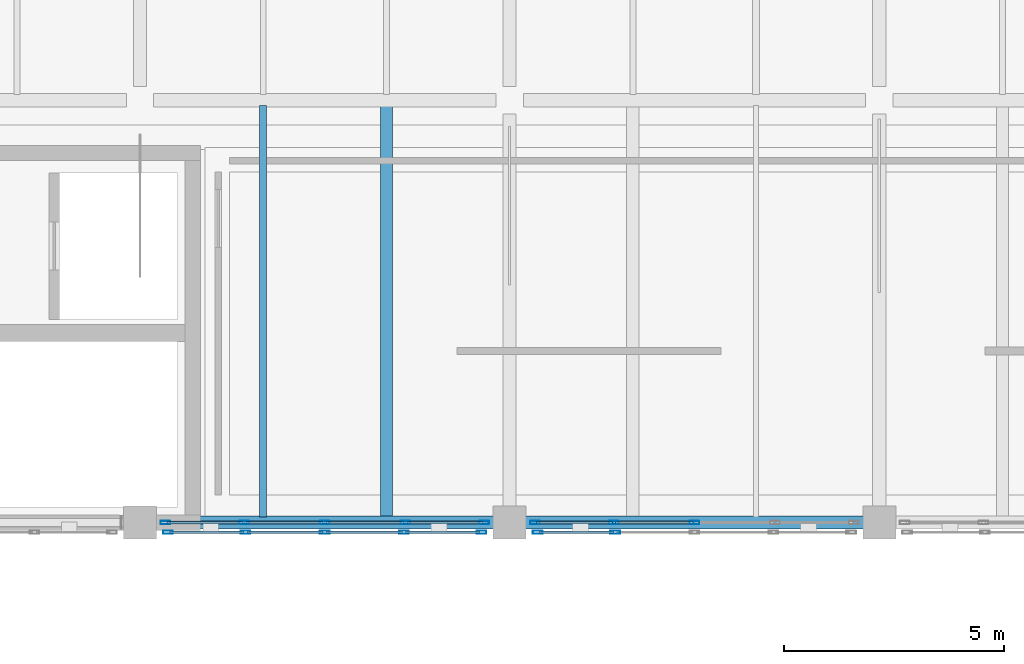
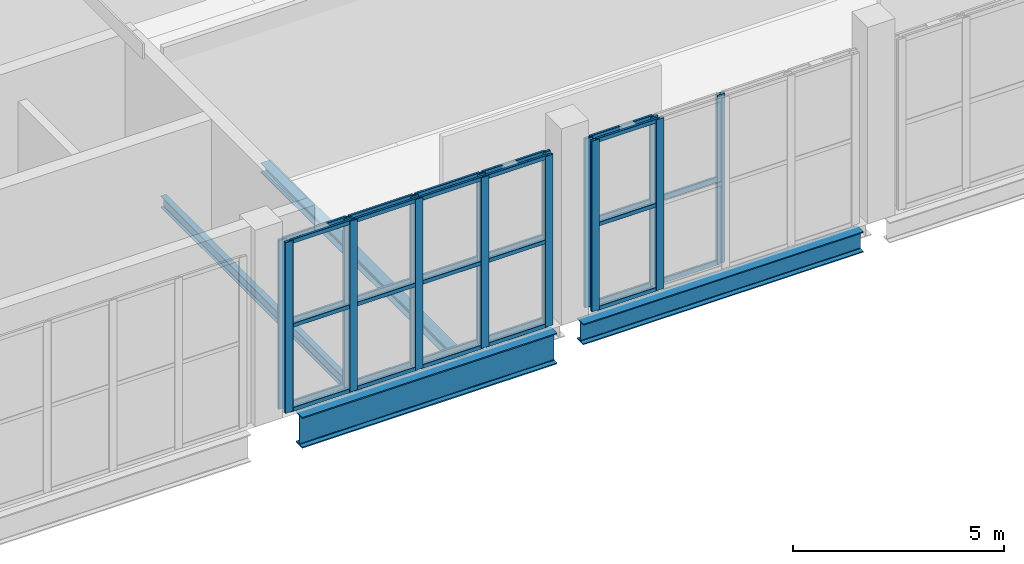
# One storey, part 7 of 49: 47 members, 4 beams, 4 elements without a shape of their own.
"""IFC4 building model written with IfcOpenShell, lengths in metres."""

from ifc_helpers import new_model, si_unit, direction, frame, origin, origin_2d, place, context, subcontext, project, spatial, hollow_rectangle, i_section, extrude, material, layer, layer_set, material_profile, profile_set, type_object, element, aggregate, save


model = new_model("IFC4")

# Units and contexts
model_context = context("Model", 3, precision=1e-05, world=origin(), true_north=direction((0.0, 1.0)))
body_context = subcontext(model_context, "Body", "Model", "MODEL_VIEW")
ifc_project = project(units=[si_unit("LENGTHUNIT", "METRE"), si_unit("AREAUNIT", "SQUARE_METRE"), si_unit("VOLUMEUNIT", "CUBIC_METRE"), si_unit("PLANEANGLEUNIT", "RADIAN"), si_unit("MASSUNIT", "GRAM", prefix="KILO")], contexts=[model_context])

# Site, building, storey
site_placement = place(None, origin())
site = spatial("IfcSite", under=ifc_project, at=site_placement, CompositionType="ELEMENT")
building_placement = place(site_placement, origin())
building = spatial("IfcBuilding", under=site, at=building_placement, Name="Zulmaris Art Gallery", CompositionType="ELEMENT")
storey_placement = place(building_placement, frame((0.0, 0.0, 20.699951171875)))
storey = spatial("IfcBuildingStorey", under=building, at=storey_placement, Name="L04", CompositionType="ELEMENT", Elevation=20.699951171875)

# Beams
ifc_material_1 = material(Name="Steel S355J2", Category="steel")
ifc_material_profile_1 = material_profile(ifc_material_1, i_section(OverallWidth=0.300048828125, OverallDepth=0.60009765625, WebThickness=0.015380859375, FlangeThickness=0.030029296875, FilletRadius=0.027099609375, at=origin_2d()), Name="HEB 600")
ifc_profile_set_1 = profile_set([ifc_material_profile_1], Name="Steel S355J2")
beam_type_1 = type_object("IfcBeamType", Name="BEAM-BM15", PredefinedType="BEAM", material=ifc_profile_set_1)
beam_1_placement = place(storey_placement, frame((49.56005859375, 21.60009765625, -0.659912109375), z_axis=(1.0, 0.0, 0.0), x_axis=(0.0, 1.0, 0.0)))
element("IfcBeam", 1, at=beam_1_placement, inside=storey, type_object=beam_type_1, Name="L04 X-girder (49.2..57.6, y=21.6)", PredefinedType="BEAM", context=body_context, shape_type="SweptSolid", body=[
    extrude(i_section(OverallWidth=0.300048828125, OverallDepth=0.60009765625, WebThickness=0.015380859375, FlangeThickness=0.030029296875, FilletRadius=0.027099609375, at=origin_2d()), origin(), (0.0, 0.0, 1.0), 7.679931640625),
])
ifc_material_profile_2 = material_profile(ifc_material_1, i_section(OverallWidth=0.300048828125, OverallDepth=0.89990234375, WebThickness=0.0185546875, FlangeThickness=0.034912109375, FilletRadius=0.030029296875, at=origin_2d()), Name="HEB 900")
ifc_profile_set_2 = profile_set([ifc_material_profile_2], Name="Steel S355J2")
beam_type_2 = type_object("IfcBeamType", Name="BEAM-BM18", PredefinedType="BEAM", material=ifc_profile_set_2)
beam_2_placement = place(storey_placement, frame((41.85009765625, 21.60009765625, -0.81005859375), z_axis=(1.0, 0.0, 0.0), x_axis=(0.0, 1.0, 0.0)))
element("IfcBeam", 2, at=beam_2_placement, inside=storey, type_object=beam_type_2, Name="L04 X-girder (40.8..49.2, y=21.6)", PredefinedType="BEAM", context=body_context, shape_type="SweptSolid", body=[
    extrude(i_section(OverallWidth=0.300048828125, OverallDepth=0.89990234375, WebThickness=0.0185546875, FlangeThickness=0.034912109375, FilletRadius=0.030029296875, at=origin_2d()), origin(), (0.0, 0.0, 1.0), 6.989990234375),
])
ifc_material_profile_3 = material_profile(ifc_material_1, i_section(OverallWidth=0.159912109375, OverallDepth=0.330078125, WebThickness=0.007568359375, FlangeThickness=0.011474609375, FilletRadius=0.01806640625, at=origin_2d()), Name="IPE 330")
ifc_profile_set_3 = profile_set([ifc_material_profile_3], Name="Steel S355J2")
beam_type_3 = type_object("IfcBeamType", Name="BEAM-JS03", PredefinedType="JOIST", material=ifc_profile_set_3)
beam_3_placement = place(storey_placement, frame((43.60009765625, 21.72509765625, -0.52490234375), z_axis=(0.0, 1.0, 0.0), x_axis=(-1.0, 0.0, 0.0)))
element("IfcBeam", 3, at=beam_3_placement, inside=storey, type_object=beam_type_3, Name="L04 secondary joist at x=43.6", PredefinedType="JOIST", context=body_context, shape_type="SweptSolid", body=[
    extrude(i_section(OverallWidth=0.159912109375, OverallDepth=0.330078125, WebThickness=0.007568359375, FlangeThickness=0.011474609375, FilletRadius=0.01806640625, at=origin_2d()), origin(), (0.0, 0.0, 1.0), 9.349853515625),
])
ifc_material_profile_4 = material_profile(ifc_material_1, i_section(OverallWidth=0.280029296875, OverallDepth=0.27001953125, WebThickness=0.008056640625, FlangeThickness=0.012939453125, FilletRadius=0.02392578125, at=origin_2d()), Name="HEA 280")
ifc_profile_set_4 = profile_set([ifc_material_profile_4], Name="Steel S355J2")
beam_type_4 = type_object("IfcBeamType", Name="BEAM-JS04", PredefinedType="JOIST", material=ifc_profile_set_4)
beam_4_placement = place(storey_placement, frame((46.39990234375, 21.72509765625, -0.494873046875), z_axis=(0.0, 1.0, 0.0), x_axis=(-1.0, 0.0, 0.0)))
element("IfcBeam", 4, at=beam_4_placement, inside=storey, type_object=beam_type_4, Name="L04 secondary joist at x=46.4", PredefinedType="JOIST", context=body_context, shape_type="SweptSolid", body=[
    extrude(i_section(OverallWidth=0.280029296875, OverallDepth=0.27001953125, WebThickness=0.008056640625, FlangeThickness=0.012939453125, FilletRadius=0.02392578125, at=origin_2d()), origin(), (0.0, 0.0, 1.0), 9.349853515625),
])

# Curtain wall, members
ifc_material_2 = material(Name="Unitised Low-E Gallery Curtain Wall", Category="aluminium")
ifc_layer_1 = layer(ifc_material_2, 0.179931640625)
ifc_layer_set_1 = layer_set([ifc_layer_1], Name="Unitised Low-E Gallery Curtain Wall")
curtain_wall_type_1 = type_object("IfcCurtainWallType", Name="CW-CW01", PredefinedType="NOTDEFINED", material=ifc_layer_set_1)
curtain_wall_1_placement = place(storey_placement, origin())
curtain_wall_1 = element("IfcCurtainWall", 5, at=curtain_wall_1_placement, inside=storey, type_object=curtain_wall_type_1, Name="L04 curtain wall 26", PredefinedType="NOTDEFINED")
ifc_material_3 = material(Name="Anodised Bronze Aluminium", Category="aluminium")
ifc_material_profile_5 = material_profile(ifc_material_3, hollow_rectangle(XDim=0.074951171875, YDim=0.219970703125, WallThickness=0.0048828125, InnerFilletRadius=0.007568359375, OuterFilletRadius=0.012451171875, at=origin_2d()), Name="ALU 75x220x5")
ifc_profile_set_5 = profile_set([ifc_material_profile_5], Name="Anodised Bronze Aluminium")
member_type_1 = type_object("IfcMemberType", Name="CWMUL-02", PredefinedType="MULLION", material=ifc_profile_set_5)
member_1_placement = place(storey_placement, frame((41.37744140625, 21.60009765625, 0.0), z_axis=(0.0, 0.0, 1.0), x_axis=(0.0, 1.0, 0.0)))
member_1 = element("IfcMember", 6, at=member_1_placement, type_object=member_type_1, Name="CW01 mullion 1", PredefinedType="MULLION", context=body_context, shape_type="SweptSolid", body=[
    extrude(hollow_rectangle(XDim=0.074951171875, YDim=0.219970703125, WallThickness=0.0048828125, InnerFilletRadius=0.007568359375, OuterFilletRadius=0.012451171875, at=origin_2d()), origin(), (0.0, 0.0, 1.0), 4.900146484375),
])
member_2_placement = place(storey_placement, frame((43.169921875, 21.60009765625, 0.0), z_axis=(0.0, 0.0, 1.0), x_axis=(0.0, 1.0, 0.0)))
member_2 = element("IfcMember", 7, at=member_2_placement, type_object=member_type_1, Name="CW01 mullion 2", PredefinedType="MULLION", context=body_context, shape_type="SweptSolid", body=[
    extrude(hollow_rectangle(XDim=0.074951171875, YDim=0.219970703125, WallThickness=0.0048828125, InnerFilletRadius=0.007568359375, OuterFilletRadius=0.012451171875, at=origin_2d()), origin(), (0.0, 0.0, 1.0), 4.900146484375),
])
member_3_placement = place(storey_placement, frame((45.0, 21.60009765625, 0.0), z_axis=(0.0, 0.0, 1.0), x_axis=(0.0, 1.0, 0.0)))
member_3 = element("IfcMember", 8, at=member_3_placement, type_object=member_type_1, Name="CW01 mullion 3", PredefinedType="MULLION", context=body_context, shape_type="SweptSolid", body=[
    extrude(hollow_rectangle(XDim=0.074951171875, YDim=0.219970703125, WallThickness=0.0048828125, InnerFilletRadius=0.007568359375, OuterFilletRadius=0.012451171875, at=origin_2d()), origin(), (0.0, 0.0, 1.0), 4.900146484375),
])
member_4_placement = place(storey_placement, frame((46.830078125, 21.60009765625, 0.0), z_axis=(0.0, 0.0, 1.0), x_axis=(0.0, 1.0, 0.0)))
member_4 = element("IfcMember", 9, at=member_4_placement, type_object=member_type_1, Name="CW01 mullion 4", PredefinedType="MULLION", context=body_context, shape_type="SweptSolid", body=[
    extrude(hollow_rectangle(XDim=0.074951171875, YDim=0.219970703125, WallThickness=0.0048828125, InnerFilletRadius=0.007568359375, OuterFilletRadius=0.012451171875, at=origin_2d()), origin(), (0.0, 0.0, 1.0), 4.900146484375),
])
member_5_placement = place(storey_placement, frame((48.62255859375, 21.60009765625, 0.0), z_axis=(0.0, 0.0, 1.0), x_axis=(0.0, 1.0, 0.0)))
member_5 = element("IfcMember", 10, at=member_5_placement, type_object=member_type_1, Name="CW01 mullion 5", PredefinedType="MULLION", context=body_context, shape_type="SweptSolid", body=[
    extrude(hollow_rectangle(XDim=0.074951171875, YDim=0.219970703125, WallThickness=0.0048828125, InnerFilletRadius=0.007568359375, OuterFilletRadius=0.012451171875, at=origin_2d()), origin(), (0.0, 0.0, 1.0), 4.900146484375),
])

curtain_wall_2_placement = place(storey_placement, origin())
curtain_wall_2 = element("IfcCurtainWall", 11, at=curtain_wall_2_placement, inside=storey, type_object=curtain_wall_type_1, Name="L04 curtain wall 28", PredefinedType="NOTDEFINED")
member_6_placement = place(storey_placement, frame((49.777587890625, 21.60009765625, 0.0), z_axis=(0.0, 0.0, 1.0), x_axis=(0.0, 1.0, 0.0)))
member_6 = element("IfcMember", 12, at=member_6_placement, type_object=member_type_1, Name="CW01 mullion 1", PredefinedType="MULLION", context=body_context, shape_type="SweptSolid", body=[
    extrude(hollow_rectangle(XDim=0.074951171875, YDim=0.219970703125, WallThickness=0.0048828125, InnerFilletRadius=0.007568359375, OuterFilletRadius=0.012451171875, at=origin_2d()), origin(), (0.0, 0.0, 1.0), 4.900146484375),
])
member_7_placement = place(storey_placement, frame((51.570068359375, 21.60009765625, 0.0), z_axis=(0.0, 0.0, 1.0), x_axis=(0.0, 1.0, 0.0)))
member_7 = element("IfcMember", 13, at=member_7_placement, type_object=member_type_1, Name="CW01 mullion 2", PredefinedType="MULLION", context=body_context, shape_type="SweptSolid", body=[
    extrude(hollow_rectangle(XDim=0.074951171875, YDim=0.219970703125, WallThickness=0.0048828125, InnerFilletRadius=0.007568359375, OuterFilletRadius=0.012451171875, at=origin_2d()), origin(), (0.0, 0.0, 1.0), 4.900146484375),
])
member_8_placement = place(storey_placement, frame((53.39990234375, 21.60009765625, 0.0), z_axis=(0.0, 0.0, 1.0), x_axis=(0.0, 1.0, 0.0)))
member_8 = element("IfcMember", 14, at=member_8_placement, type_object=member_type_1, Name="CW01 mullion 3", PredefinedType="MULLION", context=body_context, shape_type="SweptSolid", body=[
    extrude(hollow_rectangle(XDim=0.074951171875, YDim=0.219970703125, WallThickness=0.0048828125, InnerFilletRadius=0.007568359375, OuterFilletRadius=0.012451171875, at=origin_2d()), origin(), (0.0, 0.0, 1.0), 4.900146484375),
])

ifc_material_4 = material(Name="Perforated Bronze Art Deco Mashrabiya Screen", Category="aluminium")
ifc_layer_2 = layer(ifc_material_4, 0.179931640625)
ifc_layer_set_2 = layer_set([ifc_layer_2], Name="Perforated Bronze Art Deco Mashrabiya Screen")
curtain_wall_type_2 = type_object("IfcCurtainWallType", Name="CW-CW06", PredefinedType="USERDEFINED", material=ifc_layer_set_2)
curtain_wall_3_placement = place(storey_placement, origin())
curtain_wall_3 = element("IfcCurtainWall", 15, at=curtain_wall_3_placement, inside=storey, type_object=curtain_wall_type_2, Name="L04 Mashrabiya screen 180", ObjectType="MASHRABIYA SCREEN", PredefinedType="USERDEFINED")
member_9_placement = place(storey_placement, frame((41.4375, 21.3798828125, 0.0), z_axis=(0.0, 0.0, 1.0), x_axis=(0.0, 1.0, 0.0)))
member_9 = element("IfcMember", 16, at=member_9_placement, type_object=member_type_1, Name="CW06 mullion 1", PredefinedType="MULLION", context=body_context, shape_type="SweptSolid", body=[
    extrude(hollow_rectangle(XDim=0.074951171875, YDim=0.219970703125, WallThickness=0.0048828125, InnerFilletRadius=0.007568359375, OuterFilletRadius=0.012451171875, at=origin_2d()), origin(), (0.0, 0.0, 1.0), 4.949951171875),
])
member_10_placement = place(storey_placement, frame((43.199951171875, 21.3798828125, 0.0), z_axis=(0.0, 0.0, 1.0), x_axis=(0.0, 1.0, 0.0)))
member_10 = element("IfcMember", 17, at=member_10_placement, type_object=member_type_1, Name="CW06 mullion 2", PredefinedType="MULLION", context=body_context, shape_type="SweptSolid", body=[
    extrude(hollow_rectangle(XDim=0.074951171875, YDim=0.219970703125, WallThickness=0.0048828125, InnerFilletRadius=0.007568359375, OuterFilletRadius=0.012451171875, at=origin_2d()), origin(), (0.0, 0.0, 1.0), 4.949951171875),
])
member_11_placement = place(storey_placement, frame((45.0, 21.3798828125, 0.0), z_axis=(0.0, 0.0, 1.0), x_axis=(0.0, 1.0, 0.0)))
member_11 = element("IfcMember", 18, at=member_11_placement, type_object=member_type_1, Name="CW06 mullion 3", PredefinedType="MULLION", context=body_context, shape_type="SweptSolid", body=[
    extrude(hollow_rectangle(XDim=0.074951171875, YDim=0.219970703125, WallThickness=0.0048828125, InnerFilletRadius=0.007568359375, OuterFilletRadius=0.012451171875, at=origin_2d()), origin(), (0.0, 0.0, 1.0), 4.949951171875),
])
member_12_placement = place(storey_placement, frame((46.800048828125, 21.3798828125, 0.0), z_axis=(0.0, 0.0, 1.0), x_axis=(0.0, 1.0, 0.0)))
member_12 = element("IfcMember", 19, at=member_12_placement, type_object=member_type_1, Name="CW06 mullion 4", PredefinedType="MULLION", context=body_context, shape_type="SweptSolid", body=[
    extrude(hollow_rectangle(XDim=0.074951171875, YDim=0.219970703125, WallThickness=0.0048828125, InnerFilletRadius=0.007568359375, OuterFilletRadius=0.012451171875, at=origin_2d()), origin(), (0.0, 0.0, 1.0), 4.949951171875),
])
member_13_placement = place(storey_placement, frame((48.5625, 21.3798828125, 0.0), z_axis=(0.0, 0.0, 1.0), x_axis=(0.0, 1.0, 0.0)))
member_13 = element("IfcMember", 20, at=member_13_placement, type_object=member_type_1, Name="CW06 mullion 5", PredefinedType="MULLION", context=body_context, shape_type="SweptSolid", body=[
    extrude(hollow_rectangle(XDim=0.074951171875, YDim=0.219970703125, WallThickness=0.0048828125, InnerFilletRadius=0.007568359375, OuterFilletRadius=0.012451171875, at=origin_2d()), origin(), (0.0, 0.0, 1.0), 4.949951171875),
])

curtain_wall_4_placement = place(storey_placement, origin())
curtain_wall_4 = element("IfcCurtainWall", 21, at=curtain_wall_4_placement, inside=storey, type_object=curtain_wall_type_2, Name="L04 Mashrabiya screen 181", ObjectType="MASHRABIYA SCREEN", PredefinedType="USERDEFINED")
member_14_placement = place(storey_placement, frame((49.83740234375, 21.3798828125, 0.0), z_axis=(0.0, 0.0, 1.0), x_axis=(0.0, 1.0, 0.0)))
member_14 = element("IfcMember", 22, at=member_14_placement, type_object=member_type_1, Name="CW06 mullion 1", PredefinedType="MULLION", context=body_context, shape_type="SweptSolid", body=[
    extrude(hollow_rectangle(XDim=0.074951171875, YDim=0.219970703125, WallThickness=0.0048828125, InnerFilletRadius=0.007568359375, OuterFilletRadius=0.012451171875, at=origin_2d()), origin(), (0.0, 0.0, 1.0), 4.949951171875),
])
member_15_placement = place(storey_placement, frame((51.60009765625, 21.3798828125, 0.0), z_axis=(0.0, 0.0, 1.0), x_axis=(0.0, 1.0, 0.0)))
member_15 = element("IfcMember", 23, at=member_15_placement, type_object=member_type_1, Name="CW06 mullion 2", PredefinedType="MULLION", context=body_context, shape_type="SweptSolid", body=[
    extrude(hollow_rectangle(XDim=0.074951171875, YDim=0.219970703125, WallThickness=0.0048828125, InnerFilletRadius=0.007568359375, OuterFilletRadius=0.012451171875, at=origin_2d()), origin(), (0.0, 0.0, 1.0), 4.949951171875),
])

# Member
ifc_material_profile_6 = material_profile(ifc_material_3, hollow_rectangle(XDim=0.06494140625, YDim=0.14990234375, WallThickness=0.00390625, InnerFilletRadius=0.006103515625, OuterFilletRadius=0.010009765625, at=origin_2d()), Name="ALU 65x150x4")
ifc_profile_set_6 = profile_set([ifc_material_profile_6], Name="Anodised Bronze Aluminium")
member_type_2 = type_object("IfcMemberType", Name="CWTRN-01", PredefinedType="USERDEFINED", material=ifc_profile_set_6)
member_16_placement = place(storey_placement, frame((41.4150390625, 21.60009765625, 0.03759765625), z_axis=(1.0, 0.0, 0.0), x_axis=(0.0, 1.0, 0.0)))
member_16 = element("IfcMember", 24, at=member_16_placement, type_object=member_type_2, Name="CW01 transom 1.1", ObjectType="TRANSOM", PredefinedType="USERDEFINED", context=body_context, shape_type="SweptSolid", body=[
    extrude(hollow_rectangle(XDim=0.06494140625, YDim=0.14990234375, WallThickness=0.00390625, InnerFilletRadius=0.006103515625, OuterFilletRadius=0.010009765625, at=origin_2d()), origin(), (0.0, 0.0, 1.0), 1.717529296875),
])

member_17_placement = place(storey_placement, frame((41.4150390625, 21.60009765625, 2.449951171875), z_axis=(1.0, 0.0, 0.0), x_axis=(0.0, 1.0, 0.0)))
member_17 = element("IfcMember", 25, at=member_17_placement, type_object=member_type_2, Name="CW01 transom 1.2", ObjectType="TRANSOM", PredefinedType="USERDEFINED", context=body_context, shape_type="SweptSolid", body=[
    extrude(hollow_rectangle(XDim=0.06494140625, YDim=0.14990234375, WallThickness=0.00390625, InnerFilletRadius=0.006103515625, OuterFilletRadius=0.010009765625, at=origin_2d()), origin(), (0.0, 0.0, 1.0), 1.717529296875),
])

member_18_placement = place(storey_placement, frame((41.4150390625, 21.60009765625, 4.862548828125), z_axis=(1.0, 0.0, 0.0), x_axis=(0.0, 1.0, 0.0)))
member_18 = element("IfcMember", 26, at=member_18_placement, type_object=member_type_2, Name="CW01 transom 1.3", ObjectType="TRANSOM", PredefinedType="USERDEFINED", context=body_context, shape_type="SweptSolid", body=[
    extrude(hollow_rectangle(XDim=0.06494140625, YDim=0.14990234375, WallThickness=0.00390625, InnerFilletRadius=0.006103515625, OuterFilletRadius=0.010009765625, at=origin_2d()), origin(), (0.0, 0.0, 1.0), 1.717529296875),
])

member_19_placement = place(storey_placement, frame((43.20751953125, 21.60009765625, 0.03759765625), z_axis=(1.0, 0.0, 0.0), x_axis=(0.0, 1.0, 0.0)))
member_19 = element("IfcMember", 27, at=member_19_placement, type_object=member_type_2, Name="CW01 transom 2.1", ObjectType="TRANSOM", PredefinedType="USERDEFINED", context=body_context, shape_type="SweptSolid", body=[
    extrude(hollow_rectangle(XDim=0.06494140625, YDim=0.14990234375, WallThickness=0.00390625, InnerFilletRadius=0.006103515625, OuterFilletRadius=0.010009765625, at=origin_2d()), origin(), (0.0, 0.0, 1.0), 1.7548828125),
])

member_20_placement = place(storey_placement, frame((43.20751953125, 21.60009765625, 2.449951171875), z_axis=(1.0, 0.0, 0.0), x_axis=(0.0, 1.0, 0.0)))
member_20 = element("IfcMember", 28, at=member_20_placement, type_object=member_type_2, Name="CW01 transom 2.2", ObjectType="TRANSOM", PredefinedType="USERDEFINED", context=body_context, shape_type="SweptSolid", body=[
    extrude(hollow_rectangle(XDim=0.06494140625, YDim=0.14990234375, WallThickness=0.00390625, InnerFilletRadius=0.006103515625, OuterFilletRadius=0.010009765625, at=origin_2d()), origin(), (0.0, 0.0, 1.0), 1.7548828125),
])

member_21_placement = place(storey_placement, frame((43.20751953125, 21.60009765625, 4.862548828125), z_axis=(1.0, 0.0, 0.0), x_axis=(0.0, 1.0, 0.0)))
member_21 = element("IfcMember", 29, at=member_21_placement, type_object=member_type_2, Name="CW01 transom 2.3", ObjectType="TRANSOM", PredefinedType="USERDEFINED", context=body_context, shape_type="SweptSolid", body=[
    extrude(hollow_rectangle(XDim=0.06494140625, YDim=0.14990234375, WallThickness=0.00390625, InnerFilletRadius=0.006103515625, OuterFilletRadius=0.010009765625, at=origin_2d()), origin(), (0.0, 0.0, 1.0), 1.7548828125),
])

member_22_placement = place(storey_placement, frame((45.03759765625, 21.60009765625, 0.03759765625), z_axis=(1.0, 0.0, 0.0), x_axis=(0.0, 1.0, 0.0)))
member_22 = element("IfcMember", 30, at=member_22_placement, type_object=member_type_2, Name="CW01 transom 3.1", ObjectType="TRANSOM", PredefinedType="USERDEFINED", context=body_context, shape_type="SweptSolid", body=[
    extrude(hollow_rectangle(XDim=0.06494140625, YDim=0.14990234375, WallThickness=0.00390625, InnerFilletRadius=0.006103515625, OuterFilletRadius=0.010009765625, at=origin_2d()), origin(), (0.0, 0.0, 1.0), 1.7548828125),
])

member_23_placement = place(storey_placement, frame((45.03759765625, 21.60009765625, 2.449951171875), z_axis=(1.0, 0.0, 0.0), x_axis=(0.0, 1.0, 0.0)))
member_23 = element("IfcMember", 31, at=member_23_placement, type_object=member_type_2, Name="CW01 transom 3.2", ObjectType="TRANSOM", PredefinedType="USERDEFINED", context=body_context, shape_type="SweptSolid", body=[
    extrude(hollow_rectangle(XDim=0.06494140625, YDim=0.14990234375, WallThickness=0.00390625, InnerFilletRadius=0.006103515625, OuterFilletRadius=0.010009765625, at=origin_2d()), origin(), (0.0, 0.0, 1.0), 1.7548828125),
])

member_24_placement = place(storey_placement, frame((45.03759765625, 21.60009765625, 4.862548828125), z_axis=(1.0, 0.0, 0.0), x_axis=(0.0, 1.0, 0.0)))
member_24 = element("IfcMember", 32, at=member_24_placement, type_object=member_type_2, Name="CW01 transom 3.3", ObjectType="TRANSOM", PredefinedType="USERDEFINED", context=body_context, shape_type="SweptSolid", body=[
    extrude(hollow_rectangle(XDim=0.06494140625, YDim=0.14990234375, WallThickness=0.00390625, InnerFilletRadius=0.006103515625, OuterFilletRadius=0.010009765625, at=origin_2d()), origin(), (0.0, 0.0, 1.0), 1.7548828125),
])

member_25_placement = place(storey_placement, frame((46.867431640625, 21.60009765625, 0.03759765625), z_axis=(1.0, 0.0, 0.0), x_axis=(0.0, 1.0, 0.0)))
member_25 = element("IfcMember", 33, at=member_25_placement, type_object=member_type_2, Name="CW01 transom 4.1", ObjectType="TRANSOM", PredefinedType="USERDEFINED", context=body_context, shape_type="SweptSolid", body=[
    extrude(hollow_rectangle(XDim=0.06494140625, YDim=0.14990234375, WallThickness=0.00390625, InnerFilletRadius=0.006103515625, OuterFilletRadius=0.010009765625, at=origin_2d()), origin(), (0.0, 0.0, 1.0), 1.717529296875),
])

member_26_placement = place(storey_placement, frame((46.867431640625, 21.60009765625, 2.449951171875), z_axis=(1.0, 0.0, 0.0), x_axis=(0.0, 1.0, 0.0)))
member_26 = element("IfcMember", 34, at=member_26_placement, type_object=member_type_2, Name="CW01 transom 4.2", ObjectType="TRANSOM", PredefinedType="USERDEFINED", context=body_context, shape_type="SweptSolid", body=[
    extrude(hollow_rectangle(XDim=0.06494140625, YDim=0.14990234375, WallThickness=0.00390625, InnerFilletRadius=0.006103515625, OuterFilletRadius=0.010009765625, at=origin_2d()), origin(), (0.0, 0.0, 1.0), 1.717529296875),
])

member_27_placement = place(storey_placement, frame((46.867431640625, 21.60009765625, 4.862548828125), z_axis=(1.0, 0.0, 0.0), x_axis=(0.0, 1.0, 0.0)))
member_27 = element("IfcMember", 35, at=member_27_placement, type_object=member_type_2, Name="CW01 transom 4.3", ObjectType="TRANSOM", PredefinedType="USERDEFINED", context=body_context, shape_type="SweptSolid", body=[
    extrude(hollow_rectangle(XDim=0.06494140625, YDim=0.14990234375, WallThickness=0.00390625, InnerFilletRadius=0.006103515625, OuterFilletRadius=0.010009765625, at=origin_2d()), origin(), (0.0, 0.0, 1.0), 1.717529296875),
])

aggregate(curtain_wall_1, [member_1, member_2, member_3, member_4, member_5, member_16, member_17, member_18, member_19, member_20, member_21, member_22, member_23, member_24, member_25, member_26, member_27])

member_28_placement = place(storey_placement, frame((49.81494140625, 21.60009765625, 0.03759765625), z_axis=(1.0, 0.0, 0.0), x_axis=(0.0, 1.0, 0.0)))
member_28 = element("IfcMember", 36, at=member_28_placement, type_object=member_type_2, Name="CW01 transom 1.1", ObjectType="TRANSOM", PredefinedType="USERDEFINED", context=body_context, shape_type="SweptSolid", body=[
    extrude(hollow_rectangle(XDim=0.06494140625, YDim=0.14990234375, WallThickness=0.00390625, InnerFilletRadius=0.006103515625, OuterFilletRadius=0.010009765625, at=origin_2d()), origin(), (0.0, 0.0, 1.0), 1.717529296875),
])

member_29_placement = place(storey_placement, frame((49.81494140625, 21.60009765625, 2.449951171875), z_axis=(1.0, 0.0, 0.0), x_axis=(0.0, 1.0, 0.0)))
member_29 = element("IfcMember", 37, at=member_29_placement, type_object=member_type_2, Name="CW01 transom 1.2", ObjectType="TRANSOM", PredefinedType="USERDEFINED", context=body_context, shape_type="SweptSolid", body=[
    extrude(hollow_rectangle(XDim=0.06494140625, YDim=0.14990234375, WallThickness=0.00390625, InnerFilletRadius=0.006103515625, OuterFilletRadius=0.010009765625, at=origin_2d()), origin(), (0.0, 0.0, 1.0), 1.717529296875),
])

member_30_placement = place(storey_placement, frame((49.81494140625, 21.60009765625, 4.862548828125), z_axis=(1.0, 0.0, 0.0), x_axis=(0.0, 1.0, 0.0)))
member_30 = element("IfcMember", 38, at=member_30_placement, type_object=member_type_2, Name="CW01 transom 1.3", ObjectType="TRANSOM", PredefinedType="USERDEFINED", context=body_context, shape_type="SweptSolid", body=[
    extrude(hollow_rectangle(XDim=0.06494140625, YDim=0.14990234375, WallThickness=0.00390625, InnerFilletRadius=0.006103515625, OuterFilletRadius=0.010009765625, at=origin_2d()), origin(), (0.0, 0.0, 1.0), 1.717529296875),
])

member_31_placement = place(storey_placement, frame((51.607421875, 21.60009765625, 0.03759765625), z_axis=(1.0, 0.0, 0.0), x_axis=(0.0, 1.0, 0.0)))
member_31 = element("IfcMember", 39, at=member_31_placement, type_object=member_type_2, Name="CW01 transom 2.1", ObjectType="TRANSOM", PredefinedType="USERDEFINED", context=body_context, shape_type="SweptSolid", body=[
    extrude(hollow_rectangle(XDim=0.06494140625, YDim=0.14990234375, WallThickness=0.00390625, InnerFilletRadius=0.006103515625, OuterFilletRadius=0.010009765625, at=origin_2d()), origin(), (0.0, 0.0, 1.0), 1.755126953125),
])

member_32_placement = place(storey_placement, frame((51.607421875, 21.60009765625, 2.449951171875), z_axis=(1.0, 0.0, 0.0), x_axis=(0.0, 1.0, 0.0)))
member_32 = element("IfcMember", 40, at=member_32_placement, type_object=member_type_2, Name="CW01 transom 2.2", ObjectType="TRANSOM", PredefinedType="USERDEFINED", context=body_context, shape_type="SweptSolid", body=[
    extrude(hollow_rectangle(XDim=0.06494140625, YDim=0.14990234375, WallThickness=0.00390625, InnerFilletRadius=0.006103515625, OuterFilletRadius=0.010009765625, at=origin_2d()), origin(), (0.0, 0.0, 1.0), 1.755126953125),
])

aggregate(curtain_wall_2, [member_6, member_7, member_8, member_28, member_29, member_30, member_31, member_32])

ifc_material_profile_7 = material_profile(ifc_material_3, hollow_rectangle(XDim=0.06494140625, YDim=0.1201171875, WallThickness=0.00390625, InnerFilletRadius=0.006103515625, OuterFilletRadius=0.010009765625, at=origin_2d()), Name="ALU 65x120x4")
ifc_profile_set_7 = profile_set([ifc_material_profile_7], Name="Anodised Bronze Aluminium")
member_type_3 = type_object("IfcMemberType", Name="CWTRN-03", PredefinedType="USERDEFINED", material=ifc_profile_set_7)
member_33_placement = place(storey_placement, frame((41.47509765625, 21.3798828125, 0.03759765625), z_axis=(1.0, 0.0, 0.0), x_axis=(0.0, 1.0, 0.0)))
member_33 = element("IfcMember", 41, at=member_33_placement, type_object=member_type_3, Name="CW06 transom 1.1", ObjectType="TRANSOM", PredefinedType="USERDEFINED", context=body_context, shape_type="SweptSolid", body=[
    extrude(hollow_rectangle(XDim=0.06494140625, YDim=0.1201171875, WallThickness=0.00390625, InnerFilletRadius=0.006103515625, OuterFilletRadius=0.010009765625, at=origin_2d()), origin(), (0.0, 0.0, 1.0), 1.6875),
])

member_34_placement = place(storey_placement, frame((41.47509765625, 21.3798828125, 2.47509765625), z_axis=(1.0, 0.0, 0.0), x_axis=(0.0, 1.0, 0.0)))
member_34 = element("IfcMember", 42, at=member_34_placement, type_object=member_type_3, Name="CW06 transom 1.2", ObjectType="TRANSOM", PredefinedType="USERDEFINED", context=body_context, shape_type="SweptSolid", body=[
    extrude(hollow_rectangle(XDim=0.06494140625, YDim=0.1201171875, WallThickness=0.00390625, InnerFilletRadius=0.006103515625, OuterFilletRadius=0.010009765625, at=origin_2d()), origin(), (0.0, 0.0, 1.0), 1.6875),
])

member_35_placement = place(storey_placement, frame((41.47509765625, 21.3798828125, 4.91259765625), z_axis=(1.0, 0.0, 0.0), x_axis=(0.0, 1.0, 0.0)))
member_35 = element("IfcMember", 43, at=member_35_placement, type_object=member_type_3, Name="CW06 transom 1.3", ObjectType="TRANSOM", PredefinedType="USERDEFINED", context=body_context, shape_type="SweptSolid", body=[
    extrude(hollow_rectangle(XDim=0.06494140625, YDim=0.1201171875, WallThickness=0.00390625, InnerFilletRadius=0.006103515625, OuterFilletRadius=0.010009765625, at=origin_2d()), origin(), (0.0, 0.0, 1.0), 1.6875),
])

member_36_placement = place(storey_placement, frame((43.237548828125, 21.3798828125, 0.03759765625), z_axis=(1.0, 0.0, 0.0), x_axis=(0.0, 1.0, 0.0)))
member_36 = element("IfcMember", 44, at=member_36_placement, type_object=member_type_3, Name="CW06 transom 2.1", ObjectType="TRANSOM", PredefinedType="USERDEFINED", context=body_context, shape_type="SweptSolid", body=[
    extrude(hollow_rectangle(XDim=0.06494140625, YDim=0.1201171875, WallThickness=0.00390625, InnerFilletRadius=0.006103515625, OuterFilletRadius=0.010009765625, at=origin_2d()), origin(), (0.0, 0.0, 1.0), 1.724853515625),
])

member_37_placement = place(storey_placement, frame((43.237548828125, 21.3798828125, 2.47509765625), z_axis=(1.0, 0.0, 0.0), x_axis=(0.0, 1.0, 0.0)))
member_37 = element("IfcMember", 45, at=member_37_placement, type_object=member_type_3, Name="CW06 transom 2.2", ObjectType="TRANSOM", PredefinedType="USERDEFINED", context=body_context, shape_type="SweptSolid", body=[
    extrude(hollow_rectangle(XDim=0.06494140625, YDim=0.1201171875, WallThickness=0.00390625, InnerFilletRadius=0.006103515625, OuterFilletRadius=0.010009765625, at=origin_2d()), origin(), (0.0, 0.0, 1.0), 1.724853515625),
])

member_38_placement = place(storey_placement, frame((43.237548828125, 21.3798828125, 4.91259765625), z_axis=(1.0, 0.0, 0.0), x_axis=(0.0, 1.0, 0.0)))
member_38 = element("IfcMember", 46, at=member_38_placement, type_object=member_type_3, Name="CW06 transom 2.3", ObjectType="TRANSOM", PredefinedType="USERDEFINED", context=body_context, shape_type="SweptSolid", body=[
    extrude(hollow_rectangle(XDim=0.06494140625, YDim=0.1201171875, WallThickness=0.00390625, InnerFilletRadius=0.006103515625, OuterFilletRadius=0.010009765625, at=origin_2d()), origin(), (0.0, 0.0, 1.0), 1.724853515625),
])

member_39_placement = place(storey_placement, frame((45.03759765625, 21.3798828125, 0.03759765625), z_axis=(1.0, 0.0, 0.0), x_axis=(0.0, 1.0, 0.0)))
member_39 = element("IfcMember", 47, at=member_39_placement, type_object=member_type_3, Name="CW06 transom 3.1", ObjectType="TRANSOM", PredefinedType="USERDEFINED", context=body_context, shape_type="SweptSolid", body=[
    extrude(hollow_rectangle(XDim=0.06494140625, YDim=0.1201171875, WallThickness=0.00390625, InnerFilletRadius=0.006103515625, OuterFilletRadius=0.010009765625, at=origin_2d()), origin(), (0.0, 0.0, 1.0), 1.724853515625),
])

member_40_placement = place(storey_placement, frame((45.03759765625, 21.3798828125, 2.47509765625), z_axis=(1.0, 0.0, 0.0), x_axis=(0.0, 1.0, 0.0)))
member_40 = element("IfcMember", 48, at=member_40_placement, type_object=member_type_3, Name="CW06 transom 3.2", ObjectType="TRANSOM", PredefinedType="USERDEFINED", context=body_context, shape_type="SweptSolid", body=[
    extrude(hollow_rectangle(XDim=0.06494140625, YDim=0.1201171875, WallThickness=0.00390625, InnerFilletRadius=0.006103515625, OuterFilletRadius=0.010009765625, at=origin_2d()), origin(), (0.0, 0.0, 1.0), 1.724853515625),
])

member_41_placement = place(storey_placement, frame((45.03759765625, 21.3798828125, 4.91259765625), z_axis=(1.0, 0.0, 0.0), x_axis=(0.0, 1.0, 0.0)))
member_41 = element("IfcMember", 49, at=member_41_placement, type_object=member_type_3, Name="CW06 transom 3.3", ObjectType="TRANSOM", PredefinedType="USERDEFINED", context=body_context, shape_type="SweptSolid", body=[
    extrude(hollow_rectangle(XDim=0.06494140625, YDim=0.1201171875, WallThickness=0.00390625, InnerFilletRadius=0.006103515625, OuterFilletRadius=0.010009765625, at=origin_2d()), origin(), (0.0, 0.0, 1.0), 1.724853515625),
])

member_42_placement = place(storey_placement, frame((46.83740234375, 21.3798828125, 0.03759765625), z_axis=(1.0, 0.0, 0.0), x_axis=(0.0, 1.0, 0.0)))
member_42 = element("IfcMember", 50, at=member_42_placement, type_object=member_type_3, Name="CW06 transom 4.1", ObjectType="TRANSOM", PredefinedType="USERDEFINED", context=body_context, shape_type="SweptSolid", body=[
    extrude(hollow_rectangle(XDim=0.06494140625, YDim=0.1201171875, WallThickness=0.00390625, InnerFilletRadius=0.006103515625, OuterFilletRadius=0.010009765625, at=origin_2d()), origin(), (0.0, 0.0, 1.0), 1.6875),
])

member_43_placement = place(storey_placement, frame((46.83740234375, 21.3798828125, 2.47509765625), z_axis=(1.0, 0.0, 0.0), x_axis=(0.0, 1.0, 0.0)))
member_43 = element("IfcMember", 51, at=member_43_placement, type_object=member_type_3, Name="CW06 transom 4.2", ObjectType="TRANSOM", PredefinedType="USERDEFINED", context=body_context, shape_type="SweptSolid", body=[
    extrude(hollow_rectangle(XDim=0.06494140625, YDim=0.1201171875, WallThickness=0.00390625, InnerFilletRadius=0.006103515625, OuterFilletRadius=0.010009765625, at=origin_2d()), origin(), (0.0, 0.0, 1.0), 1.6875),
])

member_44_placement = place(storey_placement, frame((46.83740234375, 21.3798828125, 4.91259765625), z_axis=(1.0, 0.0, 0.0), x_axis=(0.0, 1.0, 0.0)))
member_44 = element("IfcMember", 52, at=member_44_placement, type_object=member_type_3, Name="CW06 transom 4.3", ObjectType="TRANSOM", PredefinedType="USERDEFINED", context=body_context, shape_type="SweptSolid", body=[
    extrude(hollow_rectangle(XDim=0.06494140625, YDim=0.1201171875, WallThickness=0.00390625, InnerFilletRadius=0.006103515625, OuterFilletRadius=0.010009765625, at=origin_2d()), origin(), (0.0, 0.0, 1.0), 1.6875),
])

aggregate(curtain_wall_3, [member_9, member_10, member_11, member_12, member_13, member_33, member_34, member_35, member_36, member_37, member_38, member_39, member_40, member_41, member_42, member_43, member_44])

member_45_placement = place(storey_placement, frame((49.875, 21.3798828125, 0.03759765625), z_axis=(1.0, 0.0, 0.0), x_axis=(0.0, 1.0, 0.0)))
member_45 = element("IfcMember", 53, at=member_45_placement, type_object=member_type_3, Name="CW06 transom 1.1", ObjectType="TRANSOM", PredefinedType="USERDEFINED", context=body_context, shape_type="SweptSolid", body=[
    extrude(hollow_rectangle(XDim=0.06494140625, YDim=0.1201171875, WallThickness=0.00390625, InnerFilletRadius=0.006103515625, OuterFilletRadius=0.010009765625, at=origin_2d()), origin(), (0.0, 0.0, 1.0), 1.6875),
])

member_46_placement = place(storey_placement, frame((49.875, 21.3798828125, 2.47509765625), z_axis=(1.0, 0.0, 0.0), x_axis=(0.0, 1.0, 0.0)))
member_46 = element("IfcMember", 54, at=member_46_placement, type_object=member_type_3, Name="CW06 transom 1.2", ObjectType="TRANSOM", PredefinedType="USERDEFINED", context=body_context, shape_type="SweptSolid", body=[
    extrude(hollow_rectangle(XDim=0.06494140625, YDim=0.1201171875, WallThickness=0.00390625, InnerFilletRadius=0.006103515625, OuterFilletRadius=0.010009765625, at=origin_2d()), origin(), (0.0, 0.0, 1.0), 1.6875),
])

member_47_placement = place(storey_placement, frame((49.875, 21.3798828125, 4.91259765625), z_axis=(1.0, 0.0, 0.0), x_axis=(0.0, 1.0, 0.0)))
member_47 = element("IfcMember", 55, at=member_47_placement, type_object=member_type_3, Name="CW06 transom 1.3", ObjectType="TRANSOM", PredefinedType="USERDEFINED", context=body_context, shape_type="SweptSolid", body=[
    extrude(hollow_rectangle(XDim=0.06494140625, YDim=0.1201171875, WallThickness=0.00390625, InnerFilletRadius=0.006103515625, OuterFilletRadius=0.010009765625, at=origin_2d()), origin(), (0.0, 0.0, 1.0), 1.6875),
])

aggregate(curtain_wall_4, [member_14, member_15, member_45, member_46, member_47])

save(model, "model.ifc")
